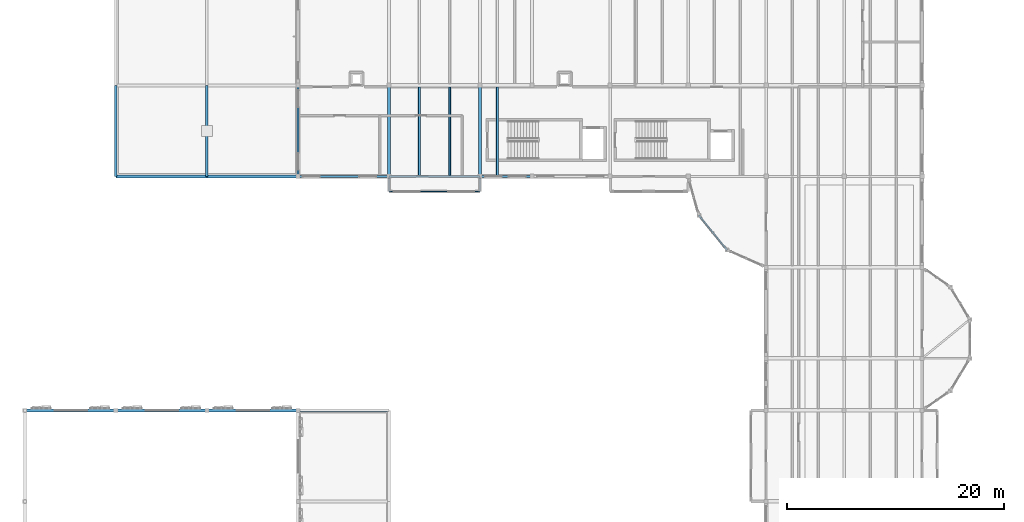
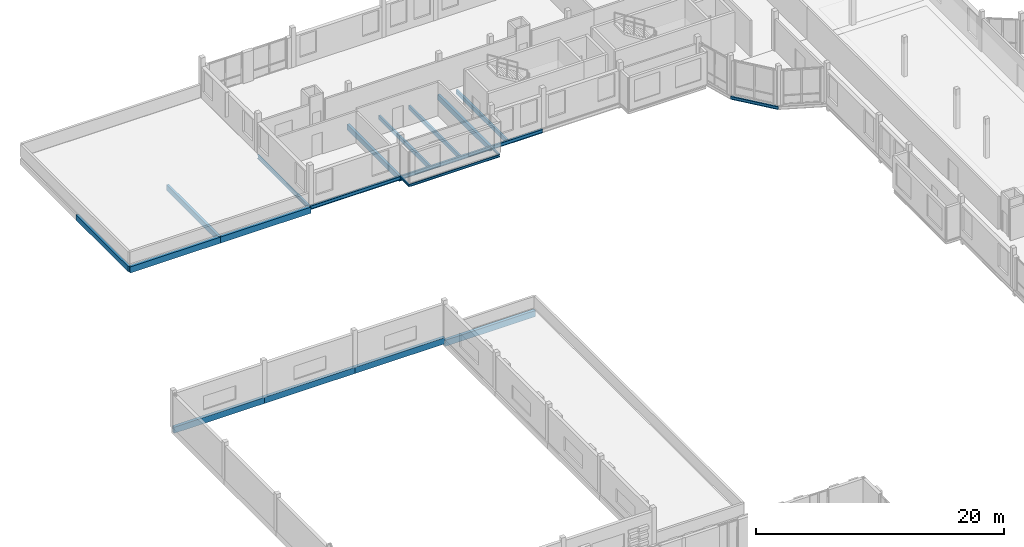
# One storey, part 15 of 57: 21 beams.
"""IFC4 building model written with IfcOpenShell, lengths in metres."""

from ifc_helpers import new_model, si_unit, direction, frame, origin, origin_2d, place, context, subcontext, project, spatial, rectangle, i_section, extrude, material, material_profile, profile_set, type_object, element, save


model = new_model("IFC4")

# Units and contexts
model_context = context("Model", 3, precision=1e-05, world=origin(), true_north=direction((0.0, 1.0)))
body_context = subcontext(model_context, "Body", "Model", "MODEL_VIEW")
ifc_project = project(units=[si_unit("LENGTHUNIT", "METRE"), si_unit("AREAUNIT", "SQUARE_METRE"), si_unit("VOLUMEUNIT", "CUBIC_METRE"), si_unit("PLANEANGLEUNIT", "RADIAN"), si_unit("MASSUNIT", "GRAM", prefix="KILO")], contexts=[model_context])

# Site, building, storey
site_placement = place(None, origin())
site = spatial("IfcSite", under=ifc_project, at=site_placement, CompositionType="ELEMENT")
building_placement = place(site_placement, origin())
building = spatial("IfcBuilding", under=site, at=building_placement, Name="Kahlenmark Community Centre", CompositionType="ELEMENT")
storey_placement = place(building_placement, frame((0.0, 0.0, 13.800048828125)))
storey = spatial("IfcBuildingStorey", under=building, at=storey_placement, Name="L03", CompositionType="ELEMENT", Elevation=13.800048828125)

# Beams
ifc_material_1 = material(Name="Glulam GL32h", Category="wood")
ifc_material_profile_1 = material_profile(ifc_material_1, rectangle(XDim=0.239990234375, YDim=0.52001953125, at=origin_2d()), Name="GL32h 240x520")
ifc_profile_set_1 = profile_set([ifc_material_profile_1], Name="Glulam GL32h")
beam_type_1 = type_object("IfcBeamType", Name="BT-BEAM-GL32h240x520", PredefinedType="BEAM", material=ifc_profile_set_1)
for number, where, z_axis, x_axis, name in (
    (1, (37.60009765625, 97.60009765625, -0.47998046875), (0.0, 1.0, 0.0), (-1.0, 0.0, 0.0), "L03 beam BG-GL32h240x520"),
    (2, (46.0, 97.60009765625, -0.47998046875), (0.0, 1.0, 0.0), (-1.0, 0.0, 0.0), "L03 beam BG-GL32h240x520"),
    (3, (12.39990234375, 97.60009765625, -0.5400390625), (0.0, 1.0, 0.0), (-1.0, 0.0, 0.0), "L03 beam BG-RF520"),
    (4, (20.800048828125, 97.60009765625, -0.5400390625), (0.0, 1.0, 0.0), (-1.0, 0.0, 0.0), "L03 beam BG-RF520"),
):
    element("IfcBeam", number, at=place(storey_placement, frame(where, z_axis=z_axis, x_axis=x_axis)), inside=storey, type_object=beam_type_1, Name=name, PredefinedType="BEAM", context=body_context, shape_type="SweptSolid", body=[
        extrude(rectangle(XDim=0.239990234375, YDim=0.52001953125, at=origin_2d()), origin(), (0.0, 0.0, 1.0), 8.39990234375),
    ])
ifc_material_profile_2 = material_profile(ifc_material_1, rectangle(XDim=0.280029296875, YDim=0.60009765625, at=origin_2d()), Name="GL32h 280x600")
ifc_profile_set_2 = profile_set([ifc_material_profile_2], Name="Glulam GL32h")
beam_type_2 = type_object("IfcBeamType", Name="BT-BEAM-GL32h280x600", PredefinedType="BEAM", material=ifc_profile_set_2)
beam_1_placement = place(storey_placement, frame((12.39990234375, 97.60009765625, -0.580078125), z_axis=(1.0, 0.0, 0.0), x_axis=(0.0, 1.0, 0.0)))
element("IfcBeam", 5, at=beam_1_placement, inside=storey, type_object=beam_type_2, Name="L03 beam BG-RF600", PredefinedType="BEAM", context=body_context, shape_type="SweptSolid", body=[
    extrude(rectangle(XDim=0.280029296875, YDim=0.60009765625, at=origin_2d()), origin(), (0.0, 0.0, 1.0), 8.400146484375),
])
beam_2_placement = place(storey_placement, frame((20.800048828125, 97.60009765625, -0.580078125), z_axis=(1.0, 0.0, 0.0), x_axis=(0.0, 1.0, 0.0)))
element("IfcBeam", 6, at=beam_2_placement, inside=storey, type_object=beam_type_2, Name="L03 beam BG-RF600", PredefinedType="BEAM", context=body_context, shape_type="SweptSolid", body=[
    extrude(rectangle(XDim=0.280029296875, YDim=0.60009765625, at=origin_2d()), origin(), (0.0, 0.0, 1.0), 8.39990234375),
])
beam_3_placement = place(storey_placement, frame((29.199951171875, 76.0, -0.580078125), z_axis=(1.0, 0.0, 0.0), x_axis=(0.0, 1.0, 0.0)))
element("IfcBeam", 7, at=beam_3_placement, inside=storey, type_object=beam_type_2, Name="L03 beam BG-RF600", PredefinedType="BEAM", context=body_context, shape_type="SweptSolid", body=[
    extrude(rectangle(XDim=0.280029296875, YDim=0.60009765625, at=origin_2d()), origin(), (0.0, 0.0, 1.0), 8.400146484375),
])
ifc_material_2 = material(Name="Steel S355", Category="steel")
ifc_material_profile_3 = material_profile(ifc_material_2, i_section(OverallWidth=0.1201171875, OverallDepth=0.239990234375, WebThickness=0.006103515625, FlangeThickness=0.009765625, at=origin_2d()), Name="IPE 240")
ifc_profile_set_3 = profile_set([ifc_material_profile_3], Name="Steel S355")
beam_type_3 = type_object("IfcBeamType", Name="BT-BEAM-IPE240", PredefinedType="BEAM", material=ifc_profile_set_3)
for number, where, z_axis, x_axis, name in (
    (8, (37.60009765625, 96.199951171875, -0.320068359375), (0.0, 1.0, 0.0), (-1.0, 0.0, 0.0), "L03 beam BG-IPE240"),
    (9, (46.0, 96.199951171875, -0.320068359375), (0.0, 1.0, 0.0), (-1.0, 0.0, 0.0), "L03 beam BG-IPE240"),
):
    element("IfcBeam", number, at=place(storey_placement, frame(where, z_axis=z_axis, x_axis=x_axis)), inside=storey, type_object=beam_type_3, Name=name, PredefinedType="BEAM", context=body_context, shape_type="SweptSolid", body=[
        extrude(i_section(OverallWidth=0.1201171875, OverallDepth=0.239990234375, WebThickness=0.006103515625, FlangeThickness=0.009765625, at=origin_2d()), origin(), (0.0, 0.0, 1.0), 1.400146484375),
    ])
ifc_material_3 = material(Name="Glulam GL28h", Category="wood")
ifc_material_profile_4 = material_profile(ifc_material_3, rectangle(XDim=0.179931640625, YDim=0.39990234375, at=origin_2d()), Name="GL28h 180x400")
ifc_profile_set_4 = profile_set([ifc_material_profile_4], Name="Glulam GL28h")
beam_type_4 = type_object("IfcBeamType", Name="BT-JOIST-GL28h180x400", PredefinedType="JOIST", material=ifc_profile_set_4)
for number, where, z_axis, x_axis, name in (
    (10, (40.39990234375, 97.68310546875, -0.420166015625), (0.0, 1.0, 0.0), (-1.0, 0.0, 0.0), "L03 joist BJ-GL28h180x400"),
    (11, (43.199951171875, 97.68310546875, -0.420166015625), (0.0, 1.0, 0.0), (-1.0, 0.0, 0.0), "L03 joist BJ-GL28h180x400"),
    (12, (47.60009765625, 97.68310546875, -0.420166015625), (0.0, 1.0, 0.0), (-1.0, 0.0, 0.0), "L03 joist BJ-GL28h180x400"),
):
    element("IfcBeam", number, at=place(storey_placement, frame(where, z_axis=z_axis, x_axis=x_axis)), inside=storey, type_object=beam_type_4, Name=name, PredefinedType="JOIST", context=body_context, shape_type="SweptSolid", body=[
        extrude(rectangle(XDim=0.179931640625, YDim=0.39990234375, at=origin_2d()), origin(), (0.0, 0.0, 1.0), 8.158935546875),
    ])
ifc_material_profile_5 = material_profile(ifc_material_1, rectangle(XDim=0.280029296875, YDim=0.60009765625, at=origin_2d()), Name="GL32h 280x600")
ifc_profile_set_5 = profile_set([ifc_material_profile_5], Name="Glulam GL32h")
beam_type_5 = type_object("IfcBeamType", Name="BT-SPANDREL-GL32h280x600", PredefinedType="SPANDREL", material=ifc_profile_set_5)
beam_4_placement = place(storey_placement, frame((4.0, 76.0, -0.300048828125), z_axis=(1.0, 0.0, 0.0), x_axis=(0.0, 1.0, 0.0)))
element("IfcBeam", 13, at=beam_4_placement, inside=storey, type_object=beam_type_5, Name="L03 spandrel SP-GL32h280x600", PredefinedType="SPANDREL", context=body_context, shape_type="SweptSolid", body=[
    extrude(rectangle(XDim=0.280029296875, YDim=0.60009765625, at=origin_2d()), origin(), (0.0, 0.0, 1.0), 8.39990234375),
])
beam_5_placement = place(storey_placement, frame((12.39990234375, 76.0, -0.300048828125), z_axis=(1.0, 0.0, 0.0), x_axis=(0.0, 1.0, 0.0)))
element("IfcBeam", 14, at=beam_5_placement, inside=storey, type_object=beam_type_5, Name="L03 spandrel SP-GL32h280x600", PredefinedType="SPANDREL", context=body_context, shape_type="SweptSolid", body=[
    extrude(rectangle(XDim=0.280029296875, YDim=0.60009765625, at=origin_2d()), origin(), (0.0, 0.0, 1.0), 8.400146484375),
])
beam_6_placement = place(storey_placement, frame((20.800048828125, 76.0, -0.300048828125), z_axis=(1.0, 0.0, 0.0), x_axis=(0.0, 1.0, 0.0)))
element("IfcBeam", 15, at=beam_6_placement, inside=storey, type_object=beam_type_5, Name="L03 spandrel SP-GL32h280x600", PredefinedType="SPANDREL", context=body_context, shape_type="SweptSolid", body=[
    extrude(rectangle(XDim=0.280029296875, YDim=0.60009765625, at=origin_2d()), origin(), (0.0, 0.0, 1.0), 8.39990234375),
])
ifc_material_profile_6 = material_profile(ifc_material_2, i_section(OverallWidth=0.1201171875, OverallDepth=0.239990234375, WebThickness=0.006103515625, FlangeThickness=0.009765625, at=origin_2d()), Name="IPE 240")
ifc_profile_set_6 = profile_set([ifc_material_profile_6], Name="Steel S355")
beam_type_6 = type_object("IfcBeamType", Name="BT-SPANDREL-IPE240", PredefinedType="SPANDREL", material=ifc_profile_set_6)
beam_7_placement = place(storey_placement, frame((37.60009765625, 96.199951171875, -0.320068359375), z_axis=(1.0, 0.0, 0.0), x_axis=(0.0, 1.0, 0.0)))
element("IfcBeam", 16, at=beam_7_placement, inside=storey, type_object=beam_type_6, Name="L03 spandrel SP-IPE240", PredefinedType="SPANDREL", context=body_context, shape_type="SweptSolid", body=[
    extrude(i_section(OverallWidth=0.1201171875, OverallDepth=0.239990234375, WebThickness=0.006103515625, FlangeThickness=0.009765625, at=origin_2d()), origin(), (0.0, 0.0, 1.0), 8.39990234375),
])
ifc_material_profile_7 = material_profile(ifc_material_2, i_section(OverallWidth=0.14990234375, OverallDepth=0.300048828125, WebThickness=0.007080078125, FlangeThickness=0.0107421875, at=origin_2d()), Name="IPE 300")
ifc_profile_set_7 = profile_set([ifc_material_profile_7], Name="Steel S355")
beam_type_7 = type_object("IfcBeamType", Name="BT-SPANDREL-IPE300", PredefinedType="SPANDREL", material=ifc_profile_set_7)
beam_8_placement = place(storey_placement, frame((66.199951171875, 94.0, -0.35009765625), z_axis=(0.630612687458, -0.776097699015, 0.0), x_axis=(0.776097699015, 0.630612687458, 0.0)))
element("IfcBeam", 17, at=beam_8_placement, inside=storey, type_object=beam_type_7, Name="L03 spandrel SP-IPE300", PredefinedType="SPANDREL", context=body_context, shape_type="SweptSolid", body=[
    extrude(i_section(OverallWidth=0.14990234375, OverallDepth=0.300048828125, WebThickness=0.007080078125, FlangeThickness=0.0107421875, at=origin_2d()), origin(), (0.0, 0.0, 1.0), 4.123046875),
])
ifc_material_profile_8 = material_profile(ifc_material_2, i_section(OverallWidth=0.169921875, OverallDepth=0.360107421875, WebThickness=0.008056640625, FlangeThickness=0.0126953125, at=origin_2d()), Name="IPE 360")
ifc_profile_set_8 = profile_set([ifc_material_profile_8], Name="Steel S355")
beam_type_8 = type_object("IfcBeamType", Name="BT-SPANDREL-IPE360", PredefinedType="SPANDREL", material=ifc_profile_set_8)
beam_9_placement = place(storey_placement, frame((29.199951171875, 97.60009765625, -0.400146484375), z_axis=(1.0, 0.0, 0.0), x_axis=(0.0, 1.0, 0.0)))
element("IfcBeam", 18, at=beam_9_placement, inside=storey, type_object=beam_type_8, Name="L03 spandrel SP-IPE360", PredefinedType="SPANDREL", context=body_context, shape_type="SweptSolid", body=[
    extrude(i_section(OverallWidth=0.169921875, OverallDepth=0.360107421875, WebThickness=0.008056640625, FlangeThickness=0.0126953125, at=origin_2d()), origin(), (0.0, 0.0, 1.0), 8.400146484375),
])
beam_10_placement = place(storey_placement, frame((37.60009765625, 97.60009765625, -0.400146484375), z_axis=(1.0, 0.0, 0.0), x_axis=(0.0, 1.0, 0.0)))
element("IfcBeam", 19, at=beam_10_placement, inside=storey, type_object=beam_type_8, Name="L03 spandrel SP-IPE360", PredefinedType="SPANDREL", context=body_context, shape_type="SweptSolid", body=[
    extrude(i_section(OverallWidth=0.169921875, OverallDepth=0.360107421875, WebThickness=0.008056640625, FlangeThickness=0.0126953125, at=origin_2d()), origin(), (0.0, 0.0, 1.0), 8.39990234375),
])
beam_11_placement = place(storey_placement, frame((46.0, 97.60009765625, -0.400146484375), z_axis=(1.0, 0.0, 0.0), x_axis=(0.0, 1.0, 0.0)))
element("IfcBeam", 20, at=beam_11_placement, inside=storey, type_object=beam_type_8, Name="L03 spandrel SP-IPE360", PredefinedType="SPANDREL", context=body_context, shape_type="SweptSolid", body=[
    extrude(i_section(OverallWidth=0.169921875, OverallDepth=0.360107421875, WebThickness=0.008056640625, FlangeThickness=0.0126953125, at=origin_2d()), origin(), (0.0, 0.0, 1.0), 4.800048828125),
])
beam_12_placement = place(storey_placement, frame((29.199951171875, 97.60009765625, -0.4599609375), z_axis=(0.0, 1.0, 0.0), x_axis=(-1.0, 0.0, 0.0)))
element("IfcBeam", 21, at=beam_12_placement, inside=storey, type_object=beam_type_8, Name="L03 spandrel SP-IPE360", PredefinedType="SPANDREL", context=body_context, shape_type="SweptSolid", body=[
    extrude(i_section(OverallWidth=0.169921875, OverallDepth=0.360107421875, WebThickness=0.008056640625, FlangeThickness=0.0126953125, at=origin_2d()), origin(), (0.0, 0.0, 1.0), 8.39990234375),
])

save(model, "model.ifc")
